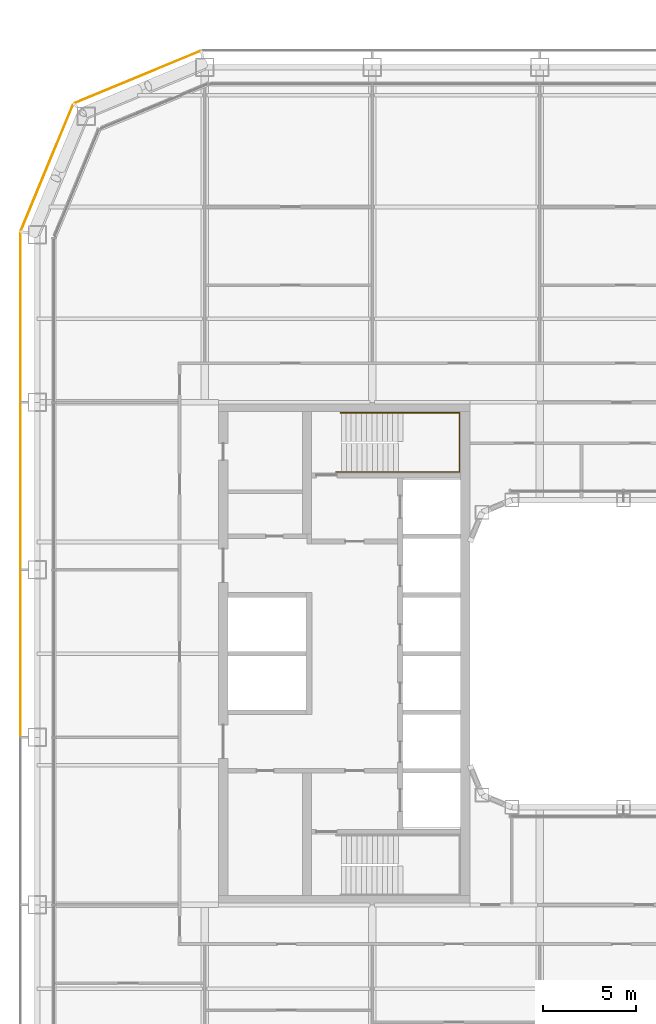
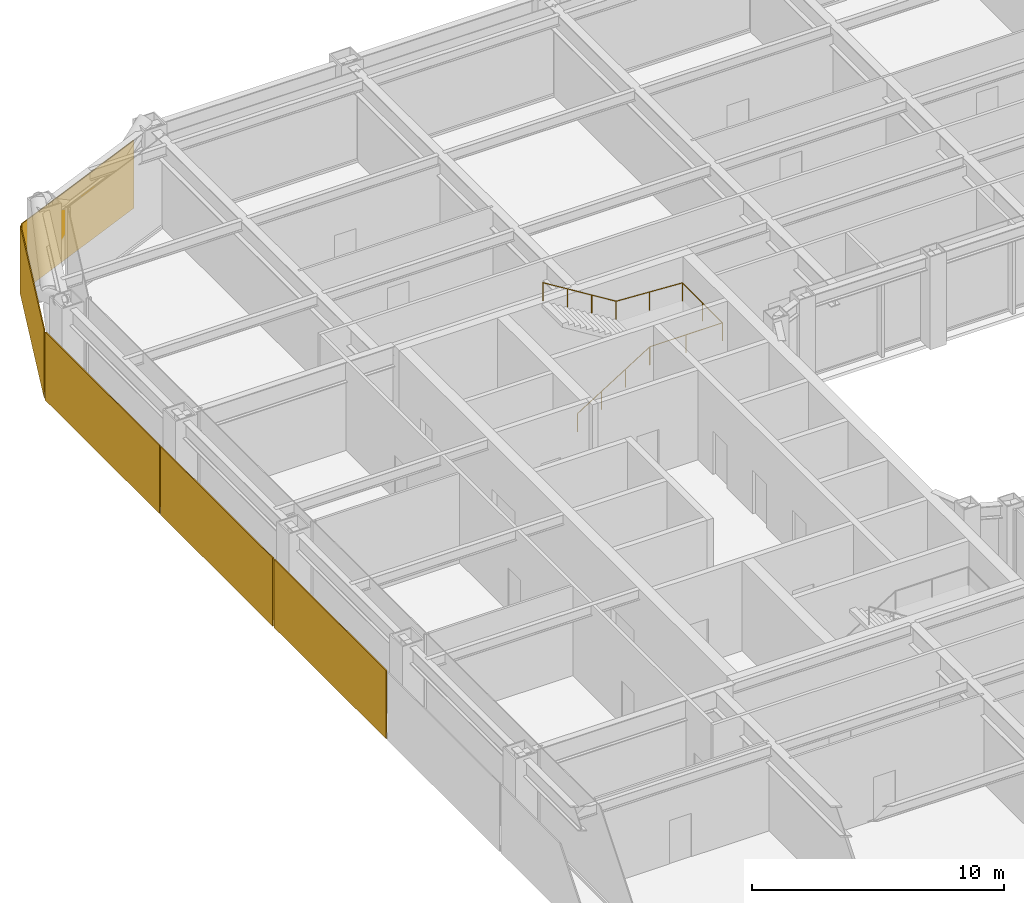
# One storey, part 27 of 30: 5 coverings, 1 railing.
"""IFC4 building model written with IfcOpenShell, lengths in metres."""

from ifc_helpers import new_model, si_unit, direction, frame, origin, origin_2d, place, context, subcontext, project, spatial, rectangle, circle, extrude, material, layer, layer_set, type_object, element, save


model = new_model("IFC4")

# Units and contexts
model_context = context("Model", 3, precision=1e-05, world=origin(), true_north=direction((0.0, 1.0)))
body_context = subcontext(model_context, "Body", "Model", "MODEL_VIEW")
ifc_project = project(units=[si_unit("LENGTHUNIT", "METRE"), si_unit("AREAUNIT", "SQUARE_METRE"), si_unit("VOLUMEUNIT", "CUBIC_METRE"), si_unit("PLANEANGLEUNIT", "RADIAN"), si_unit("MASSUNIT", "GRAM", prefix="KILO")], contexts=[model_context])

# Site, building, storey
site_placement = place(None, origin())
site = spatial("IfcSite", under=ifc_project, at=site_placement, CompositionType="ELEMENT")
building_placement = place(site_placement, origin())
building = spatial("IfcBuilding", under=site, at=building_placement, Name="Siwar Civic Tower", CompositionType="ELEMENT")
storey_placement = place(building_placement, frame((0.0, 0.0, 62.699951171875)))
storey = spatial("IfcBuildingStorey", under=building, at=storey_placement, Name="L13", CompositionType="ELEMENT", Elevation=62.699951171875)

# Railing
ifc_material_1 = material(Name="Stainless steel", Category="steel")
railing_type = type_object("IfcRailingType", Name="CORE-STAIR-HANDRAIL", PredefinedType="HANDRAIL", material=ifc_material_1)
railing_placement = place(storey_placement, frame((-15.449951171875, 9.758056640625, 0.173095703125)))
element("IfcRailing", 1, at=railing_placement, inside=storey, type_object=railing_type, Name="Stair handrail ST1", PredefinedType="HANDRAIL", context=body_context, shape_type="SweptSolid", body=[
    extrude(circle(Radius=0.02001953125, at=origin_2d()), frame((0.0, 0.0, 0.8798828125), z_axis=(0.847063342986, 0.0, 0.531491950051), x_axis=(0.0, 1.0, 0.0)), (0.0, 0.0, 1.0), 3.90771484375),
    extrude(circle(Radius=0.02001953125, at=origin_2d()), frame((3.31005859375, 0.0, 2.956787109375), z_axis=(1.0, 0.0, 0.0), x_axis=(0.0, 1.0, 0.0)), (0.0, 0.0, 1.0), 3.331787109375),
    extrude(circle(Radius=0.02001953125, at=origin_2d()), frame((6.641845703125, 0.0, 2.956787109375), z_axis=(0.0, 1.0, 0.0), x_axis=(-1.0, 0.0, 0.0)), (0.0, 0.0, 1.0), 3.183837890625),
    extrude(circle(Radius=0.02001953125, at=origin_2d()), frame((6.641845703125, 3.183837890625, 2.956787109375), z_axis=(-0.99837434197, 0.0, 0.056997134106), x_axis=(0.0, -1.0, 0.0)), (0.0, 0.0, 1.0), 3.036865234375),
    extrude(circle(Radius=0.02001953125, at=origin_2d()), frame((3.60986328125, 3.183837890625, 3.1298828125), z_axis=(-0.850606129759, 0.0, 0.525803396734), x_axis=(0.0, -1.0, 0.0)), (0.0, 0.0, 1.0), 3.949951171875),
    extrude(circle(Radius=0.02001953125, at=origin_2d()), origin(), (0.0, 0.0, 1.0), 0.85986328125),
    extrude(circle(Radius=0.02001953125, at=origin_2d()), frame((1.103271484375, 0.0, 0.6923828125)), (0.0, 0.0, 1.0), 0.85986328125),
    extrude(circle(Radius=0.02001953125, at=origin_2d()), frame((2.206787109375, 0.0, 1.384521484375)), (0.0, 0.0, 1.0), 0.85986328125),
    extrude(circle(Radius=0.02001953125, at=origin_2d()), frame((3.31005859375, 0.0, 2.076904296875)), (0.0, 0.0, 1.0), 0.85986328125),
    extrude(circle(Radius=0.02001953125, at=origin_2d()), frame((4.97607421875, 0.0, 2.076904296875)), (0.0, 0.0, 1.0), 0.85986328125),
    extrude(circle(Radius=0.02001953125, at=origin_2d()), frame((6.641845703125, 0.0, 2.076904296875)), (0.0, 0.0, 1.0), 0.85986328125),
    extrude(circle(Radius=0.02001953125, at=origin_2d()), frame((6.641845703125, 1.591796875, 2.076904296875)), (0.0, 0.0, 1.0), 0.85986328125),
    extrude(circle(Radius=0.02001953125, at=origin_2d()), frame((6.641845703125, 3.183837890625, 2.076904296875)), (0.0, 0.0, 1.0), 0.85986328125),
    extrude(circle(Radius=0.02001953125, at=origin_2d()), frame((5.1259765625, 3.183837890625, 2.16357421875)), (0.0, 0.0, 1.0), 0.85986328125),
    extrude(circle(Radius=0.02001953125, at=origin_2d()), frame((3.60986328125, 3.183837890625, 2.25)), (0.0, 0.0, 1.0), 0.85986328125),
    extrude(circle(Radius=0.02001953125, at=origin_2d()), frame((2.489990234375, 3.183837890625, 2.9423828125)), (0.0, 0.0, 1.0), 0.85986328125),
    extrude(circle(Radius=0.02001953125, at=origin_2d()), frame((1.369873046875, 3.183837890625, 3.634521484375)), (0.0, 0.0, 1.0), 0.85986328125),
    extrude(circle(Radius=0.02001953125, at=origin_2d()), frame((0.25, 3.183837890625, 4.326904296875)), (0.0, 0.0, 1.0), 0.85986328125),
])

# Coverings
ifc_material_2 = material(Name="Perforated aluminium cassette, pale metal", Category="aluminium")
ifc_layer_1 = layer(ifc_material_2, 0.0400390625)
ifc_layer_set_1 = layer_set([ifc_layer_1], Name="Perforated aluminium cassette, pale metal")
covering_type_1 = type_object("IfcCoveringType", Name="ENV-OUTER SKIN OS-1", PredefinedType="CLADDING", material=ifc_layer_set_1)
covering_1_placement = place(storey_placement, frame((-26.115966796875, 30.976318359375, -0.14990234375), z_axis=(0.0, 0.0, 1.0), x_axis=(-0.923879532511, -0.382683432365, 0.0)))
element("IfcCovering", 2, at=covering_1_placement, inside=storey, type_object=covering_type_1, Name="OUTER SKIN OS-1 NW1 1", PredefinedType="CLADDING", context=body_context, shape_type="SweptSolid", body=[
    extrude(rectangle(XDim=7.300048828125, YDim=0.0400390625, at=origin_2d()), origin(), (0.0, 0.0, 1.0), 3.300048828125),
])
ifc_material_3 = material(Name="Perforated aluminium cassette, pale metal", Category="aluminium")
ifc_layer_2 = layer(ifc_material_3, 0.044921875)
ifc_layer_set_2 = layer_set([ifc_layer_2], Name="Perforated aluminium cassette, pale metal")
covering_type_2 = type_object("IfcCoveringType", Name="ENV-OUTER SKIN OS-2", PredefinedType="CLADDING", material=ifc_layer_set_2)
covering_2_placement = place(storey_placement, frame((-30.976318359375, 26.115966796875, -0.14990234375), z_axis=(0.0, 0.0, 1.0), x_axis=(-0.382683432365, -0.923879532511, 0.0)))
element("IfcCovering", 3, at=covering_2_placement, inside=storey, type_object=covering_type_2, Name="OUTER SKIN OS-2 NW2 1", PredefinedType="CLADDING", context=body_context, shape_type="SweptSolid", body=[
    extrude(rectangle(XDim=7.300048828125, YDim=0.044921875, at=origin_2d()), origin(), (0.0, 0.0, 1.0), 3.300048828125),
])
ifc_material_4 = material(Name="Perforated aluminium cassette, pale metal", Category="aluminium")
ifc_layer_3 = layer(ifc_material_4, 0.050048828125)
ifc_layer_set_3 = layer_set([ifc_layer_3], Name="Perforated aluminium cassette, pale metal")
covering_type_3 = type_object("IfcCoveringType", Name="ENV-OUTER SKIN OS-3", PredefinedType="CLADDING", material=ifc_layer_set_3)
covering_3_placement = place(storey_placement, frame((-32.39990234375, 18.07958984375, -0.14990234375), z_axis=(0.0, 0.0, 1.0), x_axis=(0.0, -1.0, 0.0)))
element("IfcCovering", 4, at=covering_3_placement, inside=storey, type_object=covering_type_3, Name="OUTER SKIN OS-3 W 1", PredefinedType="CLADDING", context=body_context, shape_type="SweptSolid", body=[
    extrude(rectangle(XDim=9.05908203125, YDim=0.050048828125, at=origin_2d()), origin(), (0.0, 0.0, 1.0), 3.300048828125),
])
for number, where, z_axis, x_axis, name in (
    (5, (-32.39990234375, 9.0, -0.14990234375), (0.0, 0.0, 1.0), (0.0, -1.0, 0.0), "OUTER SKIN OS-3 W 2"),
    (6, (-32.39990234375, 0.0, -0.14990234375), (0.0, 0.0, 1.0), (0.0, -1.0, 0.0), "OUTER SKIN OS-3 W 3"),
):
    element("IfcCovering", number, at=place(storey_placement, frame(where, z_axis=z_axis, x_axis=x_axis)), inside=storey, type_object=covering_type_3, Name=name, PredefinedType="CLADDING", context=body_context, shape_type="SweptSolid", body=[
        extrude(rectangle(XDim=8.89990234375, YDim=0.050048828125, at=origin_2d()), origin(), (0.0, 0.0, 1.0), 3.300048828125),
    ])

save(model, "model.ifc")
